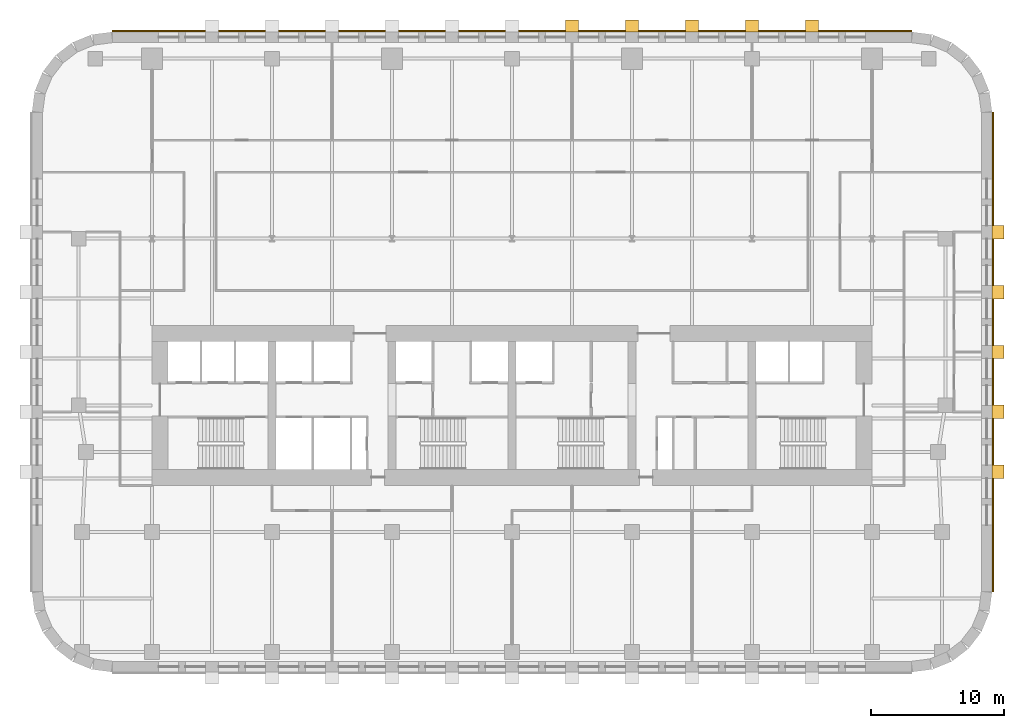
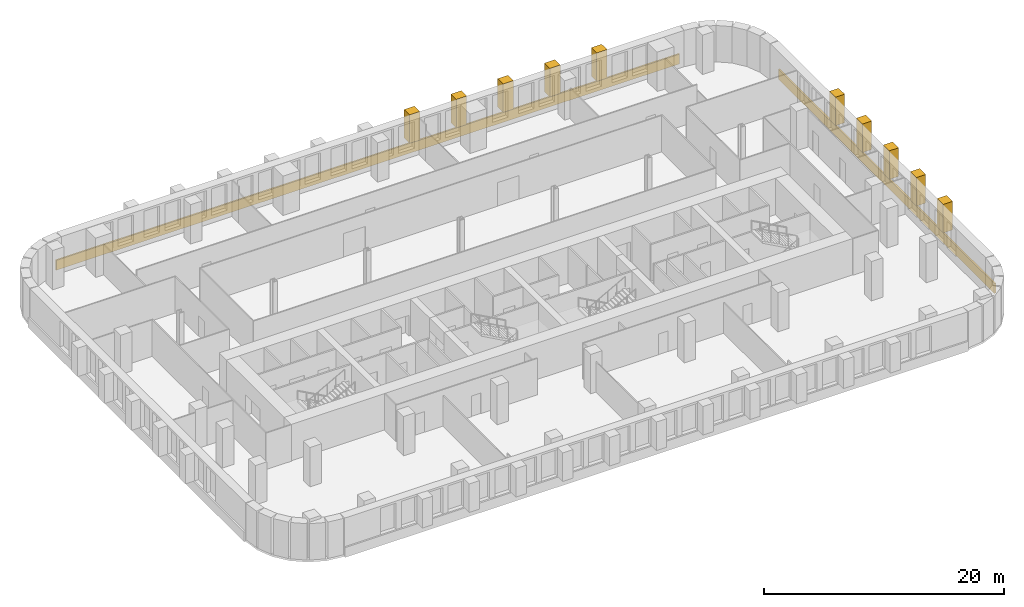
# One storey, part 12 of 12: 12 coverings.
"""IFC4 building model written with IfcOpenShell, lengths in metres."""

from ifc_helpers import new_model, si_unit, direction, frame, origin, place, context, subcontext, project, spatial, polyline, outline, extrude, material, layer, layer_set, type_object, element, save


model = new_model("IFC4")

# Units and contexts
model_context = context("Model", 3, precision=1e-05, world=origin(), true_north=direction((0.0, 1.0)))
body_context = subcontext(model_context, "Body", "Model", "MODEL_VIEW")
ifc_project = project(units=[si_unit("LENGTHUNIT", "METRE"), si_unit("AREAUNIT", "SQUARE_METRE"), si_unit("VOLUMEUNIT", "CUBIC_METRE"), si_unit("PLANEANGLEUNIT", "RADIAN"), si_unit("MASSUNIT", "GRAM", prefix="KILO")], contexts=[model_context])

# Site, building, storey
site_placement = place(None, origin())
site = spatial("IfcSite", under=ifc_project, at=site_placement, CompositionType="ELEMENT")
building_placement = place(site_placement, origin())
building = spatial("IfcBuilding", under=site, at=building_placement, Name="Zellij Exchange Tower", CompositionType="ELEMENT")
storey_placement = place(building_placement, frame((0.0, 0.0, 96.5)))
storey = spatial("IfcBuildingStorey", under=building, at=storey_placement, Name="L20", CompositionType="ELEMENT", Elevation=96.5)

# Coverings
ifc_material = material(Name="Limestone cladding", Category="masonry")
ifc_layer = layer(ifc_material, 0.14990234375)
ifc_layer_set = layer_set([ifc_layer], Name="Limestone cladding")
covering_type_1 = type_object("IfcCoveringType", Name="ENV-CV1 Stone spandrel band 150", PredefinedType="CLADDING", material=ifc_layer_set)
covering_1_placement = place(storey_placement, frame((0.0, 0.0, -0.199951171875)))
element("IfcCovering", 1, at=covering_1_placement, inside=storey, type_object=covering_type_1, Name="Stone spandrel band", PredefinedType="CLADDING", context=body_context, shape_type="SweptSolid", body=[
    extrude(outline(polyline([(36.0, -21.973876953125), (36.0, 13.973876953125), (36.14990234375, 13.983642578125), (36.14990234375, -21.983642578125), (36.0, -21.973876953125)])), origin(), (0.0, 0.0, 1.0), 1.0),
])
covering_2_placement = place(storey_placement, frame((0.0, 0.0, -0.199951171875)))
element("IfcCovering", 2, at=covering_2_placement, inside=storey, type_object=covering_type_1, Name="Stone spandrel band", PredefinedType="CLADDING", context=body_context, shape_type="SweptSolid", body=[
    extrude(outline(polyline([(29.973876953125, 20.0), (-29.973876953125, 20.0), (-29.983642578125, 20.14990234375), (29.983642578125, 20.14990234375), (29.973876953125, 20.0)])), origin(), (0.0, 0.0, 1.0), 1.0),
])
covering_type_2 = type_object("IfcCoveringType", Name="ENV-CV2 Stone pier 1000x900", PredefinedType="CLADDING", material=ifc_material)
covering_3_placement = place(storey_placement, frame((0.0, 0.0, 0.800048828125)))
element("IfcCovering", 3, at=covering_3_placement, inside=storey, type_object=covering_type_2, Name="Stone pier", PredefinedType="CLADDING", context=body_context, shape_type="SweptSolid", body=[
    extrude(outline(polyline([(36.0, -13.48681640625), (36.0, -12.48681640625), (36.89990234375, -12.48681640625), (36.89990234375, -13.48681640625), (36.0, -13.48681640625)])), origin(), (0.0, 0.0, 1.0), 2.89990234375),
])
covering_4_placement = place(storey_placement, frame((0.0, 0.0, 0.800048828125)))
element("IfcCovering", 4, at=covering_4_placement, inside=storey, type_object=covering_type_2, Name="Stone pier", PredefinedType="CLADDING", context=body_context, shape_type="SweptSolid", body=[
    extrude(outline(polyline([(36.0, -8.993408203125), (36.0, -7.993408203125), (36.89990234375, -7.993408203125), (36.89990234375, -8.993408203125), (36.0, -8.993408203125)])), origin(), (0.0, 0.0, 1.0), 2.89990234375),
])
covering_5_placement = place(storey_placement, frame((0.0, 0.0, 0.800048828125)))
element("IfcCovering", 5, at=covering_5_placement, inside=storey, type_object=covering_type_2, Name="Stone pier", PredefinedType="CLADDING", context=body_context, shape_type="SweptSolid", body=[
    extrude(outline(polyline([(36.0, -4.5), (36.0, -3.5), (36.89990234375, -3.5), (36.89990234375, -4.5), (36.0, -4.5)])), origin(), (0.0, 0.0, 1.0), 2.89990234375),
])
covering_6_placement = place(storey_placement, frame((0.0, 0.0, 0.800048828125)))
element("IfcCovering", 6, at=covering_6_placement, inside=storey, type_object=covering_type_2, Name="Stone pier", PredefinedType="CLADDING", context=body_context, shape_type="SweptSolid", body=[
    extrude(outline(polyline([(36.0, -0.006591796875), (36.0, 0.993408203125), (36.89990234375, 0.993408203125), (36.89990234375, -0.006591796875), (36.0, -0.006591796875)])), origin(), (0.0, 0.0, 1.0), 2.89990234375),
])
covering_7_placement = place(storey_placement, frame((0.0, 0.0, 0.800048828125)))
element("IfcCovering", 7, at=covering_7_placement, inside=storey, type_object=covering_type_2, Name="Stone pier", PredefinedType="CLADDING", context=body_context, shape_type="SweptSolid", body=[
    extrude(outline(polyline([(36.0, 4.48681640625), (36.0, 5.48681640625), (36.89990234375, 5.48681640625), (36.89990234375, 4.48681640625), (36.0, 4.48681640625)])), origin(), (0.0, 0.0, 1.0), 2.89990234375),
])
covering_8_placement = place(storey_placement, frame((0.0, 0.0, 0.800048828125)))
element("IfcCovering", 8, at=covering_8_placement, inside=storey, type_object=covering_type_2, Name="Stone pier", PredefinedType="CLADDING", context=body_context, shape_type="SweptSolid", body=[
    extrude(outline(polyline([(23.0, 20.0), (22.0, 20.0), (22.0, 20.89990234375), (23.0, 20.89990234375), (23.0, 20.0)])), origin(), (0.0, 0.0, 1.0), 2.89990234375),
])
covering_9_placement = place(storey_placement, frame((0.0, 0.0, 0.800048828125)))
element("IfcCovering", 9, at=covering_9_placement, inside=storey, type_object=covering_type_2, Name="Stone pier", PredefinedType="CLADDING", context=body_context, shape_type="SweptSolid", body=[
    extrude(outline(polyline([(18.5, 20.0), (17.5, 20.0), (17.5, 20.89990234375), (18.5, 20.89990234375), (18.5, 20.0)])), origin(), (0.0, 0.0, 1.0), 2.89990234375),
])
covering_10_placement = place(storey_placement, frame((0.0, 0.0, 0.800048828125)))
element("IfcCovering", 10, at=covering_10_placement, inside=storey, type_object=covering_type_2, Name="Stone pier", PredefinedType="CLADDING", context=body_context, shape_type="SweptSolid", body=[
    extrude(outline(polyline([(14.0, 20.0), (13.0, 20.0), (13.0, 20.89990234375), (14.0, 20.89990234375), (14.0, 20.0)])), origin(), (0.0, 0.0, 1.0), 2.89990234375),
])
covering_11_placement = place(storey_placement, frame((0.0, 0.0, 0.800048828125)))
element("IfcCovering", 11, at=covering_11_placement, inside=storey, type_object=covering_type_2, Name="Stone pier", PredefinedType="CLADDING", context=body_context, shape_type="SweptSolid", body=[
    extrude(outline(polyline([(9.5, 20.0), (8.5, 20.0), (8.5, 20.89990234375), (9.5, 20.89990234375), (9.5, 20.0)])), origin(), (0.0, 0.0, 1.0), 2.89990234375),
])
covering_12_placement = place(storey_placement, frame((0.0, 0.0, 0.800048828125)))
element("IfcCovering", 12, at=covering_12_placement, inside=storey, type_object=covering_type_2, Name="Stone pier", PredefinedType="CLADDING", context=body_context, shape_type="SweptSolid", body=[
    extrude(outline(polyline([(5.0, 20.0), (4.0, 20.0), (4.0, 20.89990234375), (5.0, 20.89990234375), (5.0, 20.0)])), origin(), (0.0, 0.0, 1.0), 2.89990234375),
])

save(model, "model.ifc")
